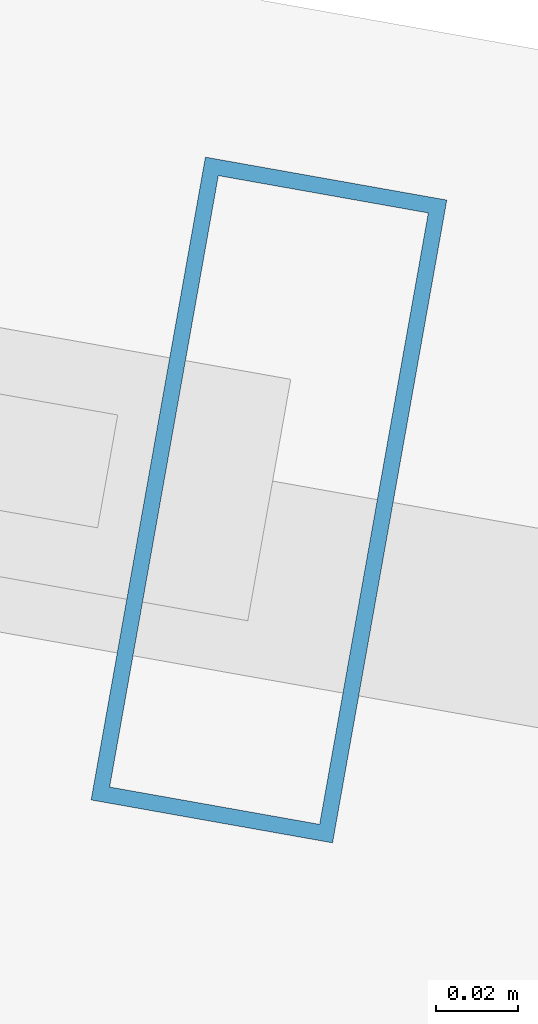
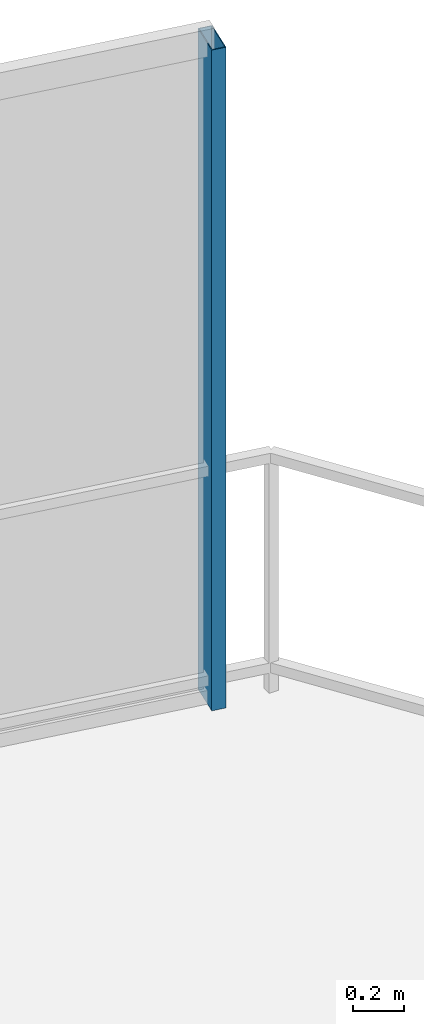
# One storey, part 25 of 33: 1 member, 1 element without a shape of its own.
"""IFC4 building model written with IfcOpenShell, lengths in metres."""

from ifc_helpers import new_model, si_unit, direction, frame, origin, origin_2d, place, context, subcontext, project, spatial, hollow_rectangle, extrude, material, layer, layer_set, material_profile, profile_set, type_object, element, aggregate, save


model = new_model("IFC4")

# Units and contexts
model_context = context("Model", 3, precision=1e-05, world=origin(), true_north=direction((0.0, 1.0)))
body_context = subcontext(model_context, "Body", "Model", "MODEL_VIEW")
ifc_project = project(units=[si_unit("LENGTHUNIT", "METRE"), si_unit("AREAUNIT", "SQUARE_METRE"), si_unit("VOLUMEUNIT", "CUBIC_METRE"), si_unit("PLANEANGLEUNIT", "RADIAN"), si_unit("MASSUNIT", "GRAM", prefix="KILO")], contexts=[model_context])

# Site, building, storey
site_placement = place(None, origin())
site = spatial("IfcSite", under=ifc_project, at=site_placement, CompositionType="ELEMENT")
building_placement = place(site_placement, origin())
building = spatial("IfcBuilding", under=site, at=building_placement, Name="Qarnah Convention Tower", CompositionType="ELEMENT")
storey_placement = place(building_placement, frame((0.0, 0.0, 30.449951171875)))
storey = spatial("IfcBuildingStorey", under=building, at=storey_placement, Name="L06", CompositionType="ELEMENT", Elevation=30.449951171875)

# Curtain wall, member
ifc_material_1 = material(Name="Tempered Low-E dark glass", Category="glass")
ifc_layer = layer(ifc_material_1, 0.16796875)
ifc_layer_set = layer_set([ifc_layer], Name="Tempered Low-E dark glass")
curtain_wall_type = type_object("IfcCurtainWallType", Name="CWS-01", PredefinedType="NOTDEFINED", material=ifc_layer_set)
curtain_wall_placement = place(storey_placement, origin())
curtain_wall = element("IfcCurtainWall", 1, at=curtain_wall_placement, inside=storey, type_object=curtain_wall_type, Name="L06 unitised curtain wall CW-L06-F1", PredefinedType="NOTDEFINED")
ifc_material_2 = material(Name="Black anodised aluminium", Category="aluminium")
ifc_material_profile = material_profile(ifc_material_2, hollow_rectangle(XDim=0.06005859375, YDim=0.159912109375, WallThickness=0.00390625, at=origin_2d()), Name="MUL-60X160")
ifc_profile_set = profile_set([ifc_material_profile], Name="Black anodised aluminium")
member_type = type_object("IfcMemberType", Name="MUL-T1", PredefinedType="MULLION", material=ifc_profile_set)
member_placement = place(storey_placement, frame((59.47607421875, 41.740966796875, 0.0), z_axis=(0.0, 0.0, 1.0), x_axis=(0.984566891232, -0.175008676041, 0.0)))
member = element("IfcMember", 2, at=member_placement, type_object=member_type, Name="CW-L06-F1 mullion 6", PredefinedType="MULLION", context=body_context, shape_type="SweptSolid", body=[
    extrude(hollow_rectangle(XDim=0.06005859375, YDim=0.159912109375, WallThickness=0.00390625, at=origin_2d()), origin(), (0.0, 0.0, 1.0), 3.170166015625),
])
aggregate(curtain_wall, [member])

save(model, "model.ifc")
